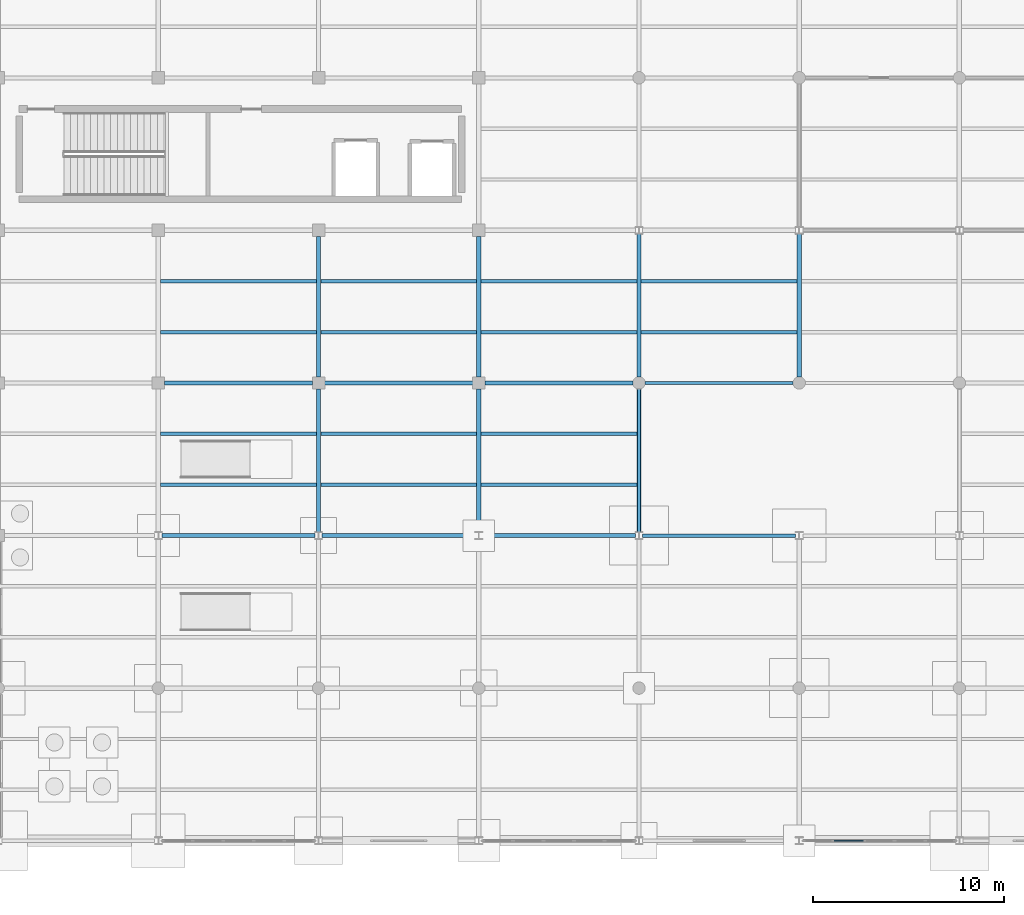
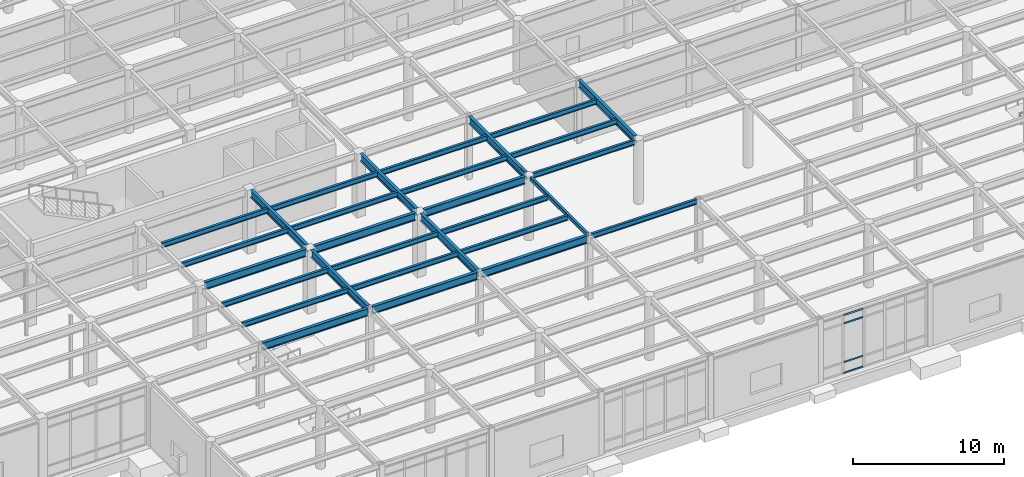
# One storey, part 33 of 138: 29 beams, 4 members, 1 element without a shape of its own.
"""IFC4 building model written with IfcOpenShell, lengths in metres."""

from ifc_helpers import new_model, si_unit, direction, frame, origin, origin_2d, place, context, subcontext, project, spatial, rectangle, hollow_rectangle, i_section, extrude, material, layer, layer_set, material_profile, profile_set, type_object, element, aggregate, save


model = new_model("IFC4")

# Units and contexts
model_context = context("Model", 3, precision=1e-05, world=origin(), true_north=direction((0.0, 1.0)))
body_context = subcontext(model_context, "Body", "Model", "MODEL_VIEW")
ifc_project = project(units=[si_unit("LENGTHUNIT", "METRE"), si_unit("AREAUNIT", "SQUARE_METRE"), si_unit("VOLUMEUNIT", "CUBIC_METRE"), si_unit("PLANEANGLEUNIT", "RADIAN"), si_unit("MASSUNIT", "GRAM", prefix="KILO")], contexts=[model_context])

# Site, building, storey
site_placement = place(None, origin())
site = spatial("IfcSite", under=ifc_project, at=site_placement, CompositionType="ELEMENT")
building_placement = place(site_placement, origin())
building = spatial("IfcBuilding", under=site, at=building_placement, Name="Kranzveld Transit Interchange", CompositionType="ELEMENT")
storey_placement = place(building_placement, origin())
storey = spatial("IfcBuildingStorey", under=building, at=storey_placement, Name="L00", CompositionType="ELEMENT", Elevation=0.0)

# Curtain wall, members
ifc_material_1 = material(Name="Bronze-anodised thermally broken aluminium", Category="aluminium")
ifc_layer = layer(ifc_material_1, 0.155029296875)
ifc_layer_set = layer_set([ifc_layer], Name="Bronze-anodised thermally broken aluminium")
curtain_wall_type = type_object("IfcCurtainWallType", Name="Operations Courtyard Glazed Screen CW-6", PredefinedType="USERDEFINED", material=ifc_layer_set)
curtain_wall_placement = place(storey_placement, origin())
curtain_wall = element("IfcCurtainWall", 1, at=curtain_wall_placement, inside=storey, type_object=curtain_wall_type, Name="L00 Curtain Wall 12/A-13/A", ObjectType="CURTAIN WALL", PredefinedType="USERDEFINED")
ifc_material_2 = material(Name="Bronze-anodised thermally broken aluminium", Category="aluminium")
ifc_material_profile_1 = material_profile(ifc_material_2, rectangle(XDim=0.06005859375, YDim=0.125, at=origin_2d()), Name="ALU TRANSOM 60x125")
ifc_profile_set_1 = profile_set([ifc_material_profile_1], Name="Bronze-anodised thermally broken aluminium")
member_type = type_object("IfcMemberType", Name="Curtain Wall Transom 60x125 Alu", PredefinedType="USERDEFINED", material=ifc_profile_set_1)
member_1_placement = place(storey_placement, frame((94.232177734375, 0.0, 0.030029296875), z_axis=(1.0, 0.0, 0.0), x_axis=(0.0, 1.0, 0.0)))
member_1 = element("IfcMember", 2, at=member_1_placement, type_object=member_type, Name="CW-6 transom 2.1", ObjectType="TRANSOM", PredefinedType="USERDEFINED", context=body_context, shape_type="SweptSolid", body=[
    extrude(rectangle(XDim=0.06005859375, YDim=0.125, at=origin_2d()), origin(), (0.0, 0.0, 1.0), 1.53515625),
])
member_2_placement = place(storey_placement, frame((94.232177734375, 0.0, 0.89990234375), z_axis=(1.0, 0.0, 0.0), x_axis=(0.0, 1.0, 0.0)))
member_2 = element("IfcMember", 3, at=member_2_placement, type_object=member_type, Name="CW-6 transom 2.2", ObjectType="TRANSOM", PredefinedType="USERDEFINED", context=body_context, shape_type="SweptSolid", body=[
    extrude(rectangle(XDim=0.06005859375, YDim=0.125, at=origin_2d()), origin(), (0.0, 0.0, 1.0), 1.53515625),
])
member_3_placement = place(storey_placement, frame((94.232177734375, 0.0, 4.04052734375), z_axis=(1.0, 0.0, 0.0), x_axis=(0.0, 1.0, 0.0)))
member_3 = element("IfcMember", 4, at=member_3_placement, type_object=member_type, Name="CW-6 transom 2.3", ObjectType="TRANSOM", PredefinedType="USERDEFINED", context=body_context, shape_type="SweptSolid", body=[
    extrude(rectangle(XDim=0.06005859375, YDim=0.125, at=origin_2d()), origin(), (0.0, 0.0, 1.0), 1.53515625),
])
member_4_placement = place(storey_placement, frame((94.232177734375, 0.0, 4.710693359375), z_axis=(1.0, 0.0, 0.0), x_axis=(0.0, 1.0, 0.0)))
member_4 = element("IfcMember", 5, at=member_4_placement, type_object=member_type, Name="CW-6 transom 2.4", ObjectType="TRANSOM", PredefinedType="USERDEFINED", context=body_context, shape_type="SweptSolid", body=[
    extrude(rectangle(XDim=0.06005859375, YDim=0.125, at=origin_2d()), origin(), (0.0, 0.0, 1.0), 1.53515625),
])
aggregate(curtain_wall, [member_1, member_2, member_3, member_4])

# Beams
ifc_material_3 = material(Name="Steel S355JR", Category="steel")
ifc_material_profile_2 = material_profile(ifc_material_3, hollow_rectangle(XDim=0.199951171875, YDim=0.300048828125, WallThickness=0.010009765625, InnerFilletRadius=0.014892578125, OuterFilletRadius=0.02490234375, at=origin_2d()), Name="RHS 300x200x10")
ifc_profile_set_2 = profile_set([ifc_material_profile_2], Name="Steel S355JR")
beam_type_1 = type_object("IfcBeamType", Name="Edge Spandrel RHS 300x200x10 S355JR", PredefinedType="SPANDREL", material=ifc_profile_set_2)
beam_1_placement = place(storey_placement, frame((84.0, 16.186767578125, 5.0), z_axis=(0.0, 1.0, 0.0), x_axis=(-1.0, 0.0, 0.0)))
element("IfcBeam", 6, at=beam_1_placement, inside=storey, type_object=beam_type_1, Name="L00 Girder 11/C-D", PredefinedType="SPANDREL", context=body_context, shape_type="SweptSolid", body=[
    extrude(hollow_rectangle(XDim=0.199951171875, YDim=0.300048828125, WallThickness=0.010009765625, InnerFilletRadius=0.014892578125, OuterFilletRadius=0.02490234375, at=origin_2d()), origin(), (0.0, 0.0, 1.0), 7.498291015625),
])
ifc_material_4 = material(Name="Steel S355JR", Category="steel")
ifc_material_profile_3 = material_profile(ifc_material_4, i_section(OverallWidth=0.1787109375, OverallDepth=0.409423828125, WebThickness=0.0087890625, FlangeThickness=0.014404296875, FilletRadius=0.01025390625, at=origin_2d()), Name="UB 406x178x67")
ifc_profile_set_3 = profile_set([ifc_material_profile_3], Name="Steel S355JR")
beam_type_2 = type_object("IfcBeamType", Name="Facade Spandrel UB 406x178x67 S355JR", PredefinedType="SPANDREL", material=ifc_profile_set_3)
beam_2_placement = place(storey_placement, frame((84.189453125, 16.0, 4.9453125), z_axis=(1.0, 0.0, 0.0), x_axis=(0.0, 1.0, 0.0)))
element("IfcBeam", 7, at=beam_2_placement, inside=storey, type_object=beam_type_2, Name="L00 Girder 11-12/C", PredefinedType="SPANDREL", context=body_context, shape_type="SweptSolid", body=[
    extrude(i_section(OverallWidth=0.1787109375, OverallDepth=0.409423828125, WebThickness=0.0087890625, FlangeThickness=0.014404296875, FilletRadius=0.01025390625, at=origin_2d()), origin(), (0.0, 0.0, 1.0), 8.02099609375),
])
beam_3_placement = place(storey_placement, frame((84.31494140625, 24.0, 4.9453125), z_axis=(1.0, 0.0, 0.0), x_axis=(0.0, 1.0, 0.0)))
element("IfcBeam", 8, at=beam_3_placement, inside=storey, type_object=beam_type_2, Name="L00 Girder 11-12/D", PredefinedType="SPANDREL", context=body_context, shape_type="SweptSolid", body=[
    extrude(i_section(OverallWidth=0.1787109375, OverallDepth=0.409423828125, WebThickness=0.0087890625, FlangeThickness=0.014404296875, FilletRadius=0.01025390625, at=origin_2d()), origin(), (0.0, 0.0, 1.0), 7.77001953125),
])
ifc_material_5 = material(Name="Steel S355JR", Category="steel")
ifc_material_profile_4 = material_profile(ifc_material_5, i_section(OverallWidth=0.177734375, OverallDepth=0.402587890625, WebThickness=0.0078125, FlangeThickness=0.010986328125, FilletRadius=0.01025390625, at=origin_2d()), Name="UB 406x178x54")
ifc_profile_set_4 = profile_set([ifc_material_profile_4], Name="Steel S355JR")
beam_type_3 = type_object("IfcBeamType", Name="Floor Joist UB 406x178x54 S355JR", PredefinedType="JOIST", material=ifc_profile_set_4)
for number, where, z_axis, x_axis, name in (
    (9, (58.916015625, 18.666748046875, 4.94873046875), (1.0, 0.0, 0.0), (0.0, 1.0, 0.0), "L00 Secondary Joist 08-09/C.1"),
    (10, (58.916015625, 21.333251953125, 4.94873046875), (1.0, 0.0, 0.0), (0.0, 1.0, 0.0), "L00 Secondary Joist 08-09/C.2"),
    (11, (58.916015625, 26.666748046875, 4.94873046875), (1.0, 0.0, 0.0), (0.0, 1.0, 0.0), "L00 Secondary Joist 08-09/D.1"),
    (12, (58.916015625, 29.333251953125, 4.94873046875), (1.0, 0.0, 0.0), (0.0, 1.0, 0.0), "L00 Secondary Joist 08-09/D.2"),
):
    element("IfcBeam", number, at=place(storey_placement, frame(where, z_axis=z_axis, x_axis=x_axis)), inside=storey, type_object=beam_type_3, Name=name, PredefinedType="JOIST", context=body_context, shape_type="SweptSolid", body=[
        extrude(i_section(OverallWidth=0.177734375, OverallDepth=0.402587890625, WebThickness=0.0078125, FlangeThickness=0.010986328125, FilletRadius=0.01025390625, at=origin_2d()), origin(), (0.0, 0.0, 1.0), 8.16796875),
    ])
for number, where, z_axis, x_axis, name in (
    (13, (67.316162109375, 18.666748046875, 4.94873046875), (1.0, 0.0, 0.0), (0.0, 1.0, 0.0), "L00 Secondary Joist 09-10/C.1"),
    (14, (67.316162109375, 21.333251953125, 4.94873046875), (1.0, 0.0, 0.0), (0.0, 1.0, 0.0), "L00 Secondary Joist 09-10/C.2"),
    (15, (67.316162109375, 26.666748046875, 4.94873046875), (1.0, 0.0, 0.0), (0.0, 1.0, 0.0), "L00 Secondary Joist 09-10/D.1"),
    (16, (67.316162109375, 29.333251953125, 4.94873046875), (1.0, 0.0, 0.0), (0.0, 1.0, 0.0), "L00 Secondary Joist 09-10/D.2"),
):
    element("IfcBeam", number, at=place(storey_placement, frame(where, z_axis=z_axis, x_axis=x_axis)), inside=storey, type_object=beam_type_3, Name=name, PredefinedType="JOIST", context=body_context, shape_type="SweptSolid", body=[
        extrude(i_section(OverallWidth=0.177734375, OverallDepth=0.402587890625, WebThickness=0.0078125, FlangeThickness=0.010986328125, FilletRadius=0.01025390625, at=origin_2d()), origin(), (0.0, 0.0, 1.0), 8.167724609375),
    ])
for number, where, z_axis, x_axis, name in (
    (17, (75.716064453125, 18.666748046875, 4.94873046875), (1.0, 0.0, 0.0), (0.0, 1.0, 0.0), "L00 Secondary Joist 10-11/C.1"),
    (18, (75.716064453125, 21.333251953125, 4.94873046875), (1.0, 0.0, 0.0), (0.0, 1.0, 0.0), "L00 Secondary Joist 10-11/C.2"),
):
    element("IfcBeam", number, at=place(storey_placement, frame(where, z_axis=z_axis, x_axis=x_axis)), inside=storey, type_object=beam_type_3, Name=name, PredefinedType="JOIST", context=body_context, shape_type="SweptSolid", body=[
        extrude(i_section(OverallWidth=0.177734375, OverallDepth=0.402587890625, WebThickness=0.0078125, FlangeThickness=0.010986328125, FilletRadius=0.01025390625, at=origin_2d()), origin(), (0.0, 0.0, 1.0), 8.181884765625),
    ])
for number, where, z_axis, x_axis, name in (
    (19, (75.716064453125, 26.666748046875, 4.94873046875), (1.0, 0.0, 0.0), (0.0, 1.0, 0.0), "L00 Secondary Joist 10-11/D.1"),
    (20, (75.716064453125, 29.333251953125, 4.94873046875), (1.0, 0.0, 0.0), (0.0, 1.0, 0.0), "L00 Secondary Joist 10-11/D.2"),
    (21, (84.1162109375, 26.666748046875, 4.94873046875), (1.0, 0.0, 0.0), (0.0, 1.0, 0.0), "L00 Secondary Joist 11-12/D.1"),
    (22, (84.1162109375, 29.333251953125, 4.94873046875), (1.0, 0.0, 0.0), (0.0, 1.0, 0.0), "L00 Secondary Joist 11-12/D.2"),
):
    element("IfcBeam", number, at=place(storey_placement, frame(where, z_axis=z_axis, x_axis=x_axis)), inside=storey, type_object=beam_type_3, Name=name, PredefinedType="JOIST", context=body_context, shape_type="SweptSolid", body=[
        extrude(i_section(OverallWidth=0.177734375, OverallDepth=0.402587890625, WebThickness=0.0078125, FlangeThickness=0.010986328125, FilletRadius=0.01025390625, at=origin_2d()), origin(), (0.0, 0.0, 1.0), 8.167724609375),
    ])
ifc_material_6 = material(Name="Steel S355JR", Category="steel")
ifc_material_profile_5 = material_profile(ifc_material_6, i_section(OverallWidth=0.228271484375, OverallDepth=0.607666015625, WebThickness=0.010986328125, FlangeThickness=0.017333984375, FilletRadius=0.0126953125, at=origin_2d()), Name="UB 610x229x113")
ifc_profile_set_5 = profile_set([ifc_material_profile_5], Name="Steel S355JR")
beam_type_4 = type_object("IfcBeamType", Name="Girder Steel UB 610x229x113 S355JR", PredefinedType="BEAM", material=ifc_profile_set_5)
beam_4_placement = place(storey_placement, frame((67.199951171875, 16.186767578125, 4.84619140625), z_axis=(0.0, 1.0, 0.0), x_axis=(-1.0, 0.0, 0.0)))
element("IfcBeam", 23, at=beam_4_placement, inside=storey, type_object=beam_type_4, Name="L00 Girder 09/C-D", PredefinedType="BEAM", context=body_context, shape_type="SweptSolid", body=[
    extrude(i_section(OverallWidth=0.228271484375, OverallDepth=0.607666015625, WebThickness=0.010986328125, FlangeThickness=0.017333984375, FilletRadius=0.0126953125, at=origin_2d()), origin(), (0.0, 0.0, 1.0), 7.498291015625),
])
beam_5_placement = place(storey_placement, frame((67.199951171875, 24.31494140625, 4.84619140625), z_axis=(0.0, 1.0, 0.0), x_axis=(-1.0, 0.0, 0.0)))
element("IfcBeam", 24, at=beam_5_placement, inside=storey, type_object=beam_type_4, Name="L00 Girder 09/D-E", PredefinedType="BEAM", context=body_context, shape_type="SweptSolid", body=[
    extrude(i_section(OverallWidth=0.228271484375, OverallDepth=0.607666015625, WebThickness=0.010986328125, FlangeThickness=0.017333984375, FilletRadius=0.0126953125, at=origin_2d()), origin(), (0.0, 0.0, 1.0), 7.3701171875),
])
beam_6_placement = place(storey_placement, frame((75.60009765625, 16.186767578125, 4.84619140625), z_axis=(0.0, 1.0, 0.0), x_axis=(-1.0, 0.0, 0.0)))
element("IfcBeam", 25, at=beam_6_placement, inside=storey, type_object=beam_type_4, Name="L00 Girder 10/C-D", PredefinedType="BEAM", context=body_context, shape_type="SweptSolid", body=[
    extrude(i_section(OverallWidth=0.228271484375, OverallDepth=0.607666015625, WebThickness=0.010986328125, FlangeThickness=0.017333984375, FilletRadius=0.0126953125, at=origin_2d()), origin(), (0.0, 0.0, 1.0), 7.498291015625),
])
beam_7_placement = place(storey_placement, frame((75.60009765625, 24.31494140625, 4.84619140625), z_axis=(0.0, 1.0, 0.0), x_axis=(-1.0, 0.0, 0.0)))
element("IfcBeam", 26, at=beam_7_placement, inside=storey, type_object=beam_type_4, Name="L00 Girder 10/D-E", PredefinedType="BEAM", context=body_context, shape_type="SweptSolid", body=[
    extrude(i_section(OverallWidth=0.228271484375, OverallDepth=0.607666015625, WebThickness=0.010986328125, FlangeThickness=0.017333984375, FilletRadius=0.0126953125, at=origin_2d()), origin(), (0.0, 0.0, 1.0), 7.3701171875),
])
for number, where, z_axis, x_axis, name in (
    (27, (84.0, 24.31494140625, 4.84619140625), (0.0, 1.0, 0.0), (-1.0, 0.0, 0.0), "L00 Girder 11/D-E"),
    (28, (92.39990234375, 24.31494140625, 4.84619140625), (0.0, 1.0, 0.0), (-1.0, 0.0, 0.0), "L00 Girder 12/D-E"),
):
    element("IfcBeam", number, at=place(storey_placement, frame(where, z_axis=z_axis, x_axis=x_axis)), inside=storey, type_object=beam_type_4, Name=name, PredefinedType="BEAM", context=body_context, shape_type="SweptSolid", body=[
        extrude(i_section(OverallWidth=0.228271484375, OverallDepth=0.607666015625, WebThickness=0.010986328125, FlangeThickness=0.017333984375, FilletRadius=0.0126953125, at=origin_2d()), origin(), (0.0, 0.0, 1.0), 7.498291015625),
    ])
ifc_material_7 = material(Name="Steel S355JR", Category="steel")
ifc_material_profile_6 = material_profile(ifc_material_7, i_section(OverallWidth=0.230224609375, OverallDepth=0.6171875, WebThickness=0.01318359375, FlangeThickness=0.022216796875, FilletRadius=0.0126953125, at=origin_2d()), Name="UB 610x229x140")
ifc_profile_set_6 = profile_set([ifc_material_profile_6], Name="Steel S355JR")
beam_type_5 = type_object("IfcBeamType", Name="Girder Steel UB 610x229x140 S355JR", PredefinedType="BEAM", material=ifc_profile_set_6)
for number, where, z_axis, x_axis, name in (
    (29, (58.989501953125, 16.0, 4.84130859375), (1.0, 0.0, 0.0), (0.0, 1.0, 0.0), "L00 Girder 08-09/C"),
    (30, (67.389404296875, 16.0, 4.84130859375), (1.0, 0.0, 0.0), (0.0, 1.0, 0.0), "L00 Girder 09-10/C"),
    (31, (75.78955078125, 16.0, 4.84130859375), (1.0, 0.0, 0.0), (0.0, 1.0, 0.0), "L00 Girder 10-11/C"),
):
    element("IfcBeam", number, at=place(storey_placement, frame(where, z_axis=z_axis, x_axis=x_axis)), inside=storey, type_object=beam_type_5, Name=name, PredefinedType="BEAM", context=body_context, shape_type="SweptSolid", body=[
        extrude(i_section(OverallWidth=0.230224609375, OverallDepth=0.6171875, WebThickness=0.01318359375, FlangeThickness=0.022216796875, FilletRadius=0.0126953125, at=origin_2d()), origin(), (0.0, 0.0, 1.0), 8.02099609375),
    ])
for number, where, z_axis, x_axis, name in (
    (32, (59.114990234375, 24.0, 4.84130859375), (1.0, 0.0, 0.0), (0.0, 1.0, 0.0), "L00 Girder 08-09/D"),
    (33, (67.514892578125, 24.0, 4.84130859375), (1.0, 0.0, 0.0), (0.0, 1.0, 0.0), "L00 Girder 09-10/D"),
    (34, (75.9150390625, 24.0, 4.84130859375), (1.0, 0.0, 0.0), (0.0, 1.0, 0.0), "L00 Girder 10-11/D"),
):
    element("IfcBeam", number, at=place(storey_placement, frame(where, z_axis=z_axis, x_axis=x_axis)), inside=storey, type_object=beam_type_5, Name=name, PredefinedType="BEAM", context=body_context, shape_type="SweptSolid", body=[
        extrude(i_section(OverallWidth=0.230224609375, OverallDepth=0.6171875, WebThickness=0.01318359375, FlangeThickness=0.022216796875, FilletRadius=0.0126953125, at=origin_2d()), origin(), (0.0, 0.0, 1.0), 7.77001953125),
    ])

save(model, "model.ifc")
